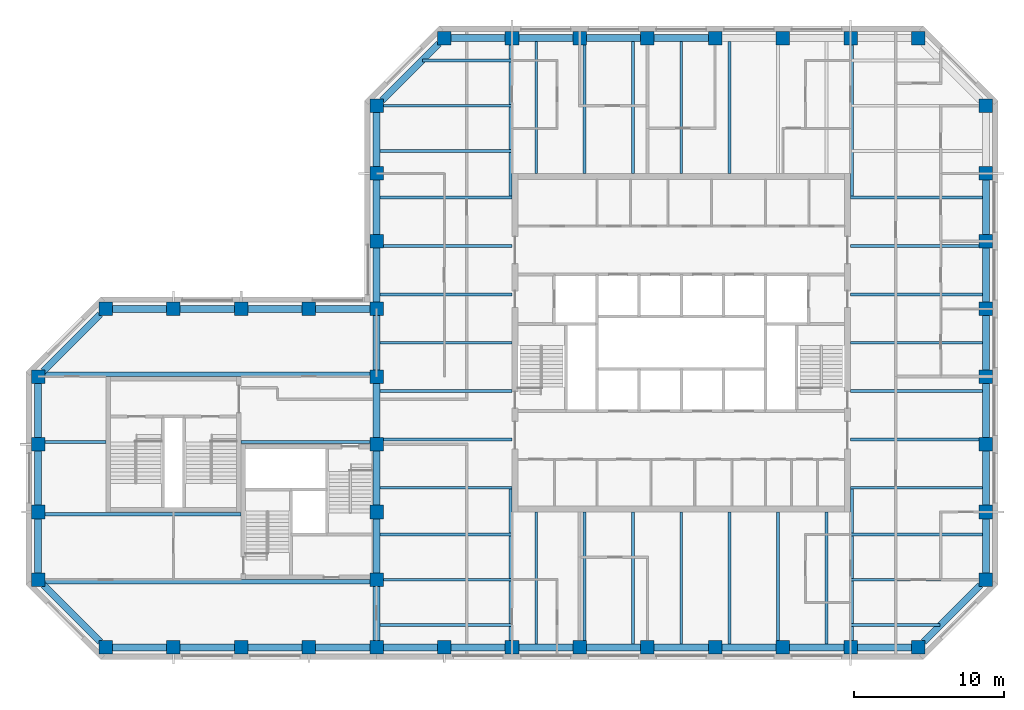
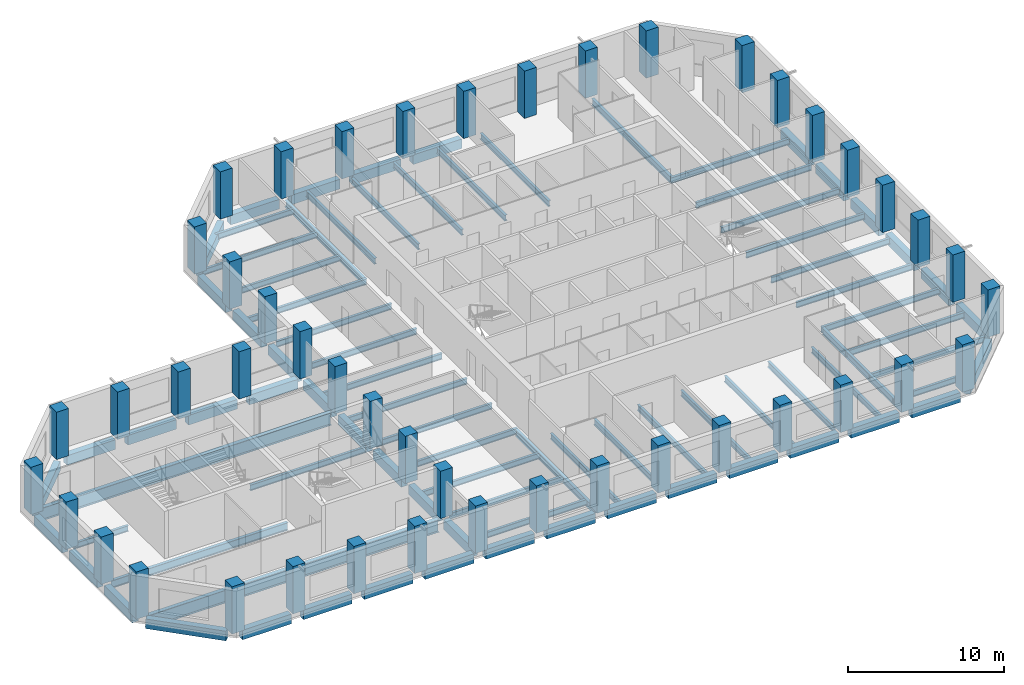
# One storey, part 1 of 9: 85 beams, 45 columns.
"""IFC4 building model written with IfcOpenShell, lengths in metres."""

from ifc_helpers import new_model, si_unit, direction, frame, origin, origin_2d, place, context, subcontext, project, spatial, rectangle, i_section, extrude, material, material_profile, profile_set, type_object, element, save


model = new_model("IFC4")

# Units and contexts
model_context = context("Model", 3, precision=1e-05, world=origin(), true_north=direction((0.0, 1.0)))
body_context = subcontext(model_context, "Body", "Model", "MODEL_VIEW")
ifc_project = project(units=[si_unit("LENGTHUNIT", "METRE"), si_unit("AREAUNIT", "SQUARE_METRE"), si_unit("VOLUMEUNIT", "CUBIC_METRE"), si_unit("PLANEANGLEUNIT", "RADIAN"), si_unit("MASSUNIT", "GRAM", prefix="KILO")], contexts=[model_context])

# Site, building, storey
site_placement = place(None, origin())
site = spatial("IfcSite", under=ifc_project, at=site_placement, CompositionType="ELEMENT")
building_placement = place(site_placement, origin())
building = spatial("IfcBuilding", under=site, at=building_placement, Name="Quoin Convention Tower", CompositionType="ELEMENT")
storey_placement = place(building_placement, frame((0.0, 0.0, 230.39990234375)))
storey = spatial("IfcBuildingStorey", under=building, at=storey_placement, Name="L60", CompositionType="ELEMENT", Elevation=230.39990234375)

# Columns
ifc_material_1 = material(Name="Concrete C50", Category="concrete")
ifc_material_profile_1 = material_profile(ifc_material_1, rectangle(XDim=0.89990234375, YDim=0.89990234375, at=origin_2d()), Name="RC 900x900")
ifc_profile_set_1 = profile_set([ifc_material_profile_1], Name="Concrete C50")
column_type = type_object("IfcColumnType", Name="RC 900x900 C50", PredefinedType="COLUMN", material=ifc_profile_set_1)
for number, where, z_axis, x_axis, name in (
    (1, (18.0, 40.5, 0.0), (0.0, 0.0, 1.0), (1.0, 0.0, 0.0), "col-L60-18000_40500"),
    (2, (22.5, 40.5, 0.0), (0.0, 0.0, 1.0), (1.0, 0.0, 0.0), "col-L60-22500_40500"),
    (3, (27.0, 40.5, 0.0), (0.0, 0.0, 1.0), (1.0, 0.0, 0.0), "col-L60-27000_40500"),
    (4, (31.5, 40.5, 0.0), (0.0, 0.0, 1.0), (1.0, 0.0, 0.0), "col-L60-31500_40500"),
    (5, (36.0, 40.5, 0.0), (0.0, 0.0, 1.0), (1.0, 0.0, 0.0), "col-L60-36000_40500"),
    (6, (40.5, 40.5, 0.0), (0.0, 0.0, 1.0), (1.0, 0.0, 0.0), "col-L60-40500_40500"),
    (7, (45.0, 40.5, 0.0), (0.0, 0.0, 1.0), (1.0, 0.0, 0.0), "col-L60-45000_40500"),
    (8, (49.5, 40.5, 0.0), (0.0, 0.0, 1.0), (1.0, 0.0, 0.0), "col-L60-49500_40500"),
    (9, (54.0, 40.5, 0.0), (0.0, 0.0, 1.0), (1.0, 0.0, 0.0), "col-L60-54000_40500"),
    (10, (58.5, 40.5, 0.0), (0.0, 0.0, 1.0), (1.0, 0.0, 0.0), "col-L60-58500_40500"),
    (11, (63.0, 40.5, 0.0), (0.0, 0.0, 1.0), (1.0, 0.0, 0.0), "col-L60-63000_40500"),
    (12, (67.5, 40.5, 0.0), (0.0, 0.0, 1.0), (1.0, 0.0, 0.0), "col-L60-67500_40500"),
    (13, (72.0, 40.5, 0.0), (0.0, 0.0, 1.0), (1.0, 0.0, 0.0), "col-L60-72000_40500"),
    (14, (13.5, 45.0, 0.0), (0.0, 0.0, 1.0), (1.0, 0.0, 0.0), "col-L60-13500_45000"),
    (15, (36.0, 45.0, 0.0), (0.0, 0.0, 1.0), (1.0, 0.0, 0.0), "web-L60-36000_45000"),
    (16, (76.5, 45.0, 0.0), (0.0, 0.0, 1.0), (1.0, 0.0, 0.0), "col-L60-76500_45000"),
    (17, (13.5, 49.5, 0.0), (0.0, 0.0, 1.0), (1.0, 0.0, 0.0), "col-L60-13500_49500"),
    (18, (36.0, 49.5, 0.0), (0.0, 0.0, 1.0), (1.0, 0.0, 0.0), "web-L60-36000_49500"),
    (19, (76.5, 49.5, 0.0), (0.0, 0.0, 1.0), (1.0, 0.0, 0.0), "col-L60-76500_49500"),
    (20, (13.5, 54.0, 0.0), (0.0, 0.0, 1.0), (1.0, 0.0, 0.0), "col-L60-13500_54000"),
    (21, (36.0, 54.0, 0.0), (0.0, 0.0, 1.0), (1.0, 0.0, 0.0), "web-L60-36000_54000"),
    (22, (76.5, 54.0, 0.0), (0.0, 0.0, 1.0), (1.0, 0.0, 0.0), "col-L60-76500_54000"),
    (23, (13.5, 58.5, 0.0), (0.0, 0.0, 1.0), (1.0, 0.0, 0.0), "col-L60-13500_58500"),
    (24, (36.0, 58.5, 0.0), (0.0, 0.0, 1.0), (1.0, 0.0, 0.0), "web-L60-36000_58500"),
    (25, (76.5, 58.5, 0.0), (0.0, 0.0, 1.0), (1.0, 0.0, 0.0), "col-L60-76500_58500"),
    (26, (18.0, 63.0, 0.0), (0.0, 0.0, 1.0), (1.0, 0.0, 0.0), "col-L60-18000_63000"),
    (27, (22.5, 63.0, 0.0), (0.0, 0.0, 1.0), (1.0, 0.0, 0.0), "col-L60-22500_63000"),
    (28, (27.0, 63.0, 0.0), (0.0, 0.0, 1.0), (1.0, 0.0, 0.0), "col-L60-27000_63000"),
    (29, (31.5, 63.0, 0.0), (0.0, 0.0, 1.0), (1.0, 0.0, 0.0), "col-L60-31500_63000"),
    (30, (36.0, 63.0, 0.0), (0.0, 0.0, 1.0), (1.0, 0.0, 0.0), "col-L60-36000_63000"),
    (31, (76.5, 63.0, 0.0), (0.0, 0.0, 1.0), (1.0, 0.0, 0.0), "col-L60-76500_63000"),
    (32, (36.0, 67.5, 0.0), (0.0, 0.0, 1.0), (1.0, 0.0, 0.0), "col-L60-36000_67500"),
    (33, (76.5, 67.5, 0.0), (0.0, 0.0, 1.0), (1.0, 0.0, 0.0), "col-L60-76500_67500"),
    (34, (36.0, 72.0, 0.0), (0.0, 0.0, 1.0), (1.0, 0.0, 0.0), "col-L60-36000_72000"),
    (35, (76.5, 72.0, 0.0), (0.0, 0.0, 1.0), (1.0, 0.0, 0.0), "col-L60-76500_72000"),
    (36, (36.0, 76.5, 0.0), (0.0, 0.0, 1.0), (1.0, 0.0, 0.0), "col-L60-36000_76500"),
    (37, (76.5, 76.5, 0.0), (0.0, 0.0, 1.0), (1.0, 0.0, 0.0), "col-L60-76500_76500"),
    (38, (40.5, 81.0, 0.0), (0.0, 0.0, 1.0), (1.0, 0.0, 0.0), "col-L60-40500_81000"),
    (39, (45.0, 81.0, 0.0), (0.0, 0.0, 1.0), (1.0, 0.0, 0.0), "col-L60-45000_81000"),
    (40, (49.5, 81.0, 0.0), (0.0, 0.0, 1.0), (1.0, 0.0, 0.0), "col-L60-49500_81000"),
    (41, (54.0, 81.0, 0.0), (0.0, 0.0, 1.0), (1.0, 0.0, 0.0), "col-L60-54000_81000"),
    (42, (58.5, 81.0, 0.0), (0.0, 0.0, 1.0), (1.0, 0.0, 0.0), "col-L60-58500_81000"),
    (43, (63.0, 81.0, 0.0), (0.0, 0.0, 1.0), (1.0, 0.0, 0.0), "col-L60-63000_81000"),
    (44, (67.5, 81.0, 0.0), (0.0, 0.0, 1.0), (1.0, 0.0, 0.0), "col-L60-67500_81000"),
    (45, (72.0, 81.0, 0.0), (0.0, 0.0, 1.0), (1.0, 0.0, 0.0), "col-L60-72000_81000"),
):
    element("IfcColumn", number, at=place(storey_placement, frame(where, z_axis=z_axis, x_axis=x_axis)), inside=storey, type_object=column_type, Name=name, PredefinedType="COLUMN", context=body_context, shape_type="SweptSolid", body=[
        extrude(rectangle(XDim=0.89990234375, YDim=0.89990234375, at=origin_2d()), origin(), (0.0, 0.0, 1.0), 3.7001953125),
    ])

# Beams
ifc_material_2 = material(Name="Steel Grade 300", Category="steel")
ifc_material_profile_2 = material_profile(ifc_material_2, i_section(OverallWidth=0.300048828125, OverallDepth=1.0, WebThickness=0.01611328125, FlangeThickness=0.02001953125, at=origin_2d()), Name="1000WB215")
ifc_profile_set_2 = profile_set([ifc_material_profile_2], Name="Steel Grade 300")
beam_type_1 = type_object("IfcBeamType", Name="1000WB215", PredefinedType="BEAM", material=ifc_profile_set_2)
for number, where, z_axis, x_axis, name in (
    (46, (13.949951171875, 44.85009765625, -0.64990234375), (1.0, 0.0, 0.0), (0.0, 1.0, 0.0), "gir-L60-ST2-1-0"),
    (47, (13.949951171875, 58.64990234375, -0.64990234375), (1.0, 0.0, 0.0), (0.0, 1.0, 0.0), "gir-L60-ST2-4-0"),
):
    element("IfcBeam", number, at=place(storey_placement, frame(where, z_axis=z_axis, x_axis=x_axis)), inside=storey, type_object=beam_type_1, Name=name, PredefinedType="BEAM", context=body_context, shape_type="SweptSolid", body=[
        extrude(i_section(OverallWidth=0.300048828125, OverallDepth=1.0, WebThickness=0.01611328125, FlangeThickness=0.02001953125, at=origin_2d()), origin(), (0.0, 0.0, 1.0), 21.60009765625),
    ])
ifc_material_profile_3 = material_profile(ifc_material_2, i_section(OverallWidth=0.18994140625, OverallDepth=0.4541015625, WebThickness=0.008544921875, FlangeThickness=0.0126953125, FilletRadius=0.011474609375, at=origin_2d()), Name="460UB67.1")
ifc_profile_set_3 = profile_set([ifc_material_profile_3], Name="Steel Grade 300")
beam_type_2 = type_object("IfcBeamType", Name="460UB67.1", PredefinedType="BEAM", material=ifc_profile_set_3)
beam_1_placement = place(storey_placement, frame((36.22509765625, 51.107177734375, -0.376953125), z_axis=(1.0, 0.0, 0.0), x_axis=(0.0, 1.0, 0.0)))
element("IfcBeam", 48, at=beam_1_placement, inside=storey, type_object=beam_type_2, Name="bm-L60-T1W0", PredefinedType="BEAM", context=body_context, shape_type="SweptSolid", body=[
    extrude(i_section(OverallWidth=0.18994140625, OverallDepth=0.4541015625, WebThickness=0.008544921875, FlangeThickness=0.0126953125, FilletRadius=0.011474609375, at=origin_2d()), origin(), (0.0, 0.0, 1.0), 8.77490234375),
])
beam_2_placement = place(storey_placement, frame((36.449951171875, 54.3212890625, -0.376953125), z_axis=(1.0, 0.0, 0.0), x_axis=(0.0, 1.0, 0.0)))
element("IfcBeam", 49, at=beam_2_placement, inside=storey, type_object=beam_type_2, Name="bm-L60-T1W1", PredefinedType="BEAM", context=body_context, shape_type="SweptSolid", body=[
    extrude(i_section(OverallWidth=0.18994140625, OverallDepth=0.4541015625, WebThickness=0.008544921875, FlangeThickness=0.0126953125, FilletRadius=0.011474609375, at=origin_2d()), origin(), (0.0, 0.0, 1.0), 8.550048828125),
])
for number, where, z_axis, x_axis, name in (
    (50, (36.22509765625, 57.53564453125, -0.376953125), (1.0, 0.0, 0.0), (0.0, 1.0, 0.0), "bm-L60-T1W2"),
    (51, (36.22509765625, 60.75, -0.376953125), (1.0, 0.0, 0.0), (0.0, 1.0, 0.0), "bm-L60-T1W3"),
    (52, (36.22509765625, 63.96435546875, -0.376953125), (1.0, 0.0, 0.0), (0.0, 1.0, 0.0), "bm-L60-T1W4"),
):
    element("IfcBeam", number, at=place(storey_placement, frame(where, z_axis=z_axis, x_axis=x_axis)), inside=storey, type_object=beam_type_2, Name=name, PredefinedType="BEAM", context=body_context, shape_type="SweptSolid", body=[
        extrude(i_section(OverallWidth=0.18994140625, OverallDepth=0.4541015625, WebThickness=0.008544921875, FlangeThickness=0.0126953125, FilletRadius=0.011474609375, at=origin_2d()), origin(), (0.0, 0.0, 1.0), 8.77490234375),
    ])
beam_3_placement = place(storey_placement, frame((36.449951171875, 67.1787109375, -0.376953125), z_axis=(1.0, 0.0, 0.0), x_axis=(0.0, 1.0, 0.0)))
element("IfcBeam", 53, at=beam_3_placement, inside=storey, type_object=beam_type_2, Name="bm-L60-T1W5", PredefinedType="BEAM", context=body_context, shape_type="SweptSolid", body=[
    extrude(i_section(OverallWidth=0.18994140625, OverallDepth=0.4541015625, WebThickness=0.008544921875, FlangeThickness=0.0126953125, FilletRadius=0.011474609375, at=origin_2d()), origin(), (0.0, 0.0, 1.0), 8.550048828125),
])
for number, where, z_axis, x_axis, name in (
    (54, (36.22509765625, 70.392822265625, -0.376953125), (1.0, 0.0, 0.0), (0.0, 1.0, 0.0), "bm-L60-T1W6"),
    (55, (67.5, 51.107177734375, -0.376953125), (1.0, 0.0, 0.0), (0.0, 1.0, 0.0), "bm-L60-T1E0"),
):
    element("IfcBeam", number, at=place(storey_placement, frame(where, z_axis=z_axis, x_axis=x_axis)), inside=storey, type_object=beam_type_2, Name=name, PredefinedType="BEAM", context=body_context, shape_type="SweptSolid", body=[
        extrude(i_section(OverallWidth=0.18994140625, OverallDepth=0.4541015625, WebThickness=0.008544921875, FlangeThickness=0.0126953125, FilletRadius=0.011474609375, at=origin_2d()), origin(), (0.0, 0.0, 1.0), 8.77490234375),
    ])
beam_4_placement = place(storey_placement, frame((67.5, 54.3212890625, -0.376953125), z_axis=(1.0, 0.0, 0.0), x_axis=(0.0, 1.0, 0.0)))
element("IfcBeam", 56, at=beam_4_placement, inside=storey, type_object=beam_type_2, Name="bm-L60-T1E1", PredefinedType="BEAM", context=body_context, shape_type="SweptSolid", body=[
    extrude(i_section(OverallWidth=0.18994140625, OverallDepth=0.4541015625, WebThickness=0.008544921875, FlangeThickness=0.0126953125, FilletRadius=0.011474609375, at=origin_2d()), origin(), (0.0, 0.0, 1.0), 8.550048828125),
])
for number, where, z_axis, x_axis, name in (
    (57, (67.5, 57.53564453125, -0.376953125), (1.0, 0.0, 0.0), (0.0, 1.0, 0.0), "bm-L60-T1E2"),
    (58, (67.5, 60.75, -0.376953125), (1.0, 0.0, 0.0), (0.0, 1.0, 0.0), "bm-L60-T1E3"),
    (59, (67.5, 63.96435546875, -0.376953125), (1.0, 0.0, 0.0), (0.0, 1.0, 0.0), "bm-L60-T1E4"),
):
    element("IfcBeam", number, at=place(storey_placement, frame(where, z_axis=z_axis, x_axis=x_axis)), inside=storey, type_object=beam_type_2, Name=name, PredefinedType="BEAM", context=body_context, shape_type="SweptSolid", body=[
        extrude(i_section(OverallWidth=0.18994140625, OverallDepth=0.4541015625, WebThickness=0.008544921875, FlangeThickness=0.0126953125, FilletRadius=0.011474609375, at=origin_2d()), origin(), (0.0, 0.0, 1.0), 8.77490234375),
    ])
beam_5_placement = place(storey_placement, frame((67.5, 67.1787109375, -0.376953125), z_axis=(1.0, 0.0, 0.0), x_axis=(0.0, 1.0, 0.0)))
element("IfcBeam", 60, at=beam_5_placement, inside=storey, type_object=beam_type_2, Name="bm-L60-T1E5", PredefinedType="BEAM", context=body_context, shape_type="SweptSolid", body=[
    extrude(i_section(OverallWidth=0.18994140625, OverallDepth=0.4541015625, WebThickness=0.008544921875, FlangeThickness=0.0126953125, FilletRadius=0.011474609375, at=origin_2d()), origin(), (0.0, 0.0, 1.0), 8.550048828125),
])
for number, where, z_axis, x_axis, name in (
    (61, (67.5, 70.392822265625, -0.376953125), (1.0, 0.0, 0.0), (0.0, 1.0, 0.0), "bm-L60-T1E6"),
    (62, (46.607177734375, 40.72509765625, -0.376953125), (0.0, 1.0, 0.0), (-1.0, 0.0, 0.0), "bm-L60-T1S0"),
):
    element("IfcBeam", number, at=place(storey_placement, frame(where, z_axis=z_axis, x_axis=x_axis)), inside=storey, type_object=beam_type_2, Name=name, PredefinedType="BEAM", context=body_context, shape_type="SweptSolid", body=[
        extrude(i_section(OverallWidth=0.18994140625, OverallDepth=0.4541015625, WebThickness=0.008544921875, FlangeThickness=0.0126953125, FilletRadius=0.011474609375, at=origin_2d()), origin(), (0.0, 0.0, 1.0), 8.77490234375),
    ])
beam_6_placement = place(storey_placement, frame((49.8212890625, 40.949951171875, -0.376953125), z_axis=(0.0, 1.0, 0.0), x_axis=(-1.0, 0.0, 0.0)))
element("IfcBeam", 63, at=beam_6_placement, inside=storey, type_object=beam_type_2, Name="bm-L60-T1S1", PredefinedType="BEAM", context=body_context, shape_type="SweptSolid", body=[
    extrude(i_section(OverallWidth=0.18994140625, OverallDepth=0.4541015625, WebThickness=0.008544921875, FlangeThickness=0.0126953125, FilletRadius=0.011474609375, at=origin_2d()), origin(), (0.0, 0.0, 1.0), 8.550048828125),
])
for number, where, z_axis, x_axis, name in (
    (64, (53.03564453125, 40.72509765625, -0.376953125), (0.0, 1.0, 0.0), (-1.0, 0.0, 0.0), "bm-L60-T1S2"),
    (65, (56.25, 40.72509765625, -0.376953125), (0.0, 1.0, 0.0), (-1.0, 0.0, 0.0), "bm-L60-T1S3"),
    (66, (59.46435546875, 40.72509765625, -0.376953125), (0.0, 1.0, 0.0), (-1.0, 0.0, 0.0), "bm-L60-T1S4"),
):
    element("IfcBeam", number, at=place(storey_placement, frame(where, z_axis=z_axis, x_axis=x_axis)), inside=storey, type_object=beam_type_2, Name=name, PredefinedType="BEAM", context=body_context, shape_type="SweptSolid", body=[
        extrude(i_section(OverallWidth=0.18994140625, OverallDepth=0.4541015625, WebThickness=0.008544921875, FlangeThickness=0.0126953125, FilletRadius=0.011474609375, at=origin_2d()), origin(), (0.0, 0.0, 1.0), 8.77490234375),
    ])
beam_7_placement = place(storey_placement, frame((62.6787109375, 40.949951171875, -0.376953125), z_axis=(0.0, 1.0, 0.0), x_axis=(-1.0, 0.0, 0.0)))
element("IfcBeam", 67, at=beam_7_placement, inside=storey, type_object=beam_type_2, Name="bm-L60-T1S5", PredefinedType="BEAM", context=body_context, shape_type="SweptSolid", body=[
    extrude(i_section(OverallWidth=0.18994140625, OverallDepth=0.4541015625, WebThickness=0.008544921875, FlangeThickness=0.0126953125, FilletRadius=0.011474609375, at=origin_2d()), origin(), (0.0, 0.0, 1.0), 8.550048828125),
])
for number, where, z_axis, x_axis, name in (
    (68, (65.892822265625, 40.72509765625, -0.376953125), (0.0, 1.0, 0.0), (-1.0, 0.0, 0.0), "bm-L60-T1S6"),
    (69, (46.607177734375, 72.0, -0.376953125), (0.0, 1.0, 0.0), (-1.0, 0.0, 0.0), "bm-L60-T1N0"),
):
    element("IfcBeam", number, at=place(storey_placement, frame(where, z_axis=z_axis, x_axis=x_axis)), inside=storey, type_object=beam_type_2, Name=name, PredefinedType="BEAM", context=body_context, shape_type="SweptSolid", body=[
        extrude(i_section(OverallWidth=0.18994140625, OverallDepth=0.4541015625, WebThickness=0.008544921875, FlangeThickness=0.0126953125, FilletRadius=0.011474609375, at=origin_2d()), origin(), (0.0, 0.0, 1.0), 8.77490234375),
    ])
beam_8_placement = place(storey_placement, frame((49.8212890625, 72.0, -0.376953125), z_axis=(0.0, 1.0, 0.0), x_axis=(-1.0, 0.0, 0.0)))
element("IfcBeam", 70, at=beam_8_placement, inside=storey, type_object=beam_type_2, Name="bm-L60-T1N1", PredefinedType="BEAM", context=body_context, shape_type="SweptSolid", body=[
    extrude(i_section(OverallWidth=0.18994140625, OverallDepth=0.4541015625, WebThickness=0.008544921875, FlangeThickness=0.0126953125, FilletRadius=0.011474609375, at=origin_2d()), origin(), (0.0, 0.0, 1.0), 8.550048828125),
])
for number, where, z_axis, x_axis, name in (
    (71, (53.03564453125, 72.0, -0.376953125), (0.0, 1.0, 0.0), (-1.0, 0.0, 0.0), "bm-L60-T1N2"),
    (72, (56.25, 72.0, -0.376953125), (0.0, 1.0, 0.0), (-1.0, 0.0, 0.0), "bm-L60-T1N3"),
    (73, (59.46435546875, 72.0, -0.376953125), (0.0, 1.0, 0.0), (-1.0, 0.0, 0.0), "bm-L60-T1N4"),
    (74, (36.22509765625, 42.0, -0.376953125), (1.0, 0.0, 0.0), (0.0, 1.0, 0.0), "bm-L60-T1SW0"),
):
    element("IfcBeam", number, at=place(storey_placement, frame(where, z_axis=z_axis, x_axis=x_axis)), inside=storey, type_object=beam_type_2, Name=name, PredefinedType="BEAM", context=body_context, shape_type="SweptSolid", body=[
        extrude(i_section(OverallWidth=0.18994140625, OverallDepth=0.4541015625, WebThickness=0.008544921875, FlangeThickness=0.0126953125, FilletRadius=0.011474609375, at=origin_2d()), origin(), (0.0, 0.0, 1.0), 8.77490234375),
    ])
beam_9_placement = place(storey_placement, frame((36.449951171875, 45.0, -0.376953125), z_axis=(1.0, 0.0, 0.0), x_axis=(0.0, 1.0, 0.0)))
element("IfcBeam", 75, at=beam_9_placement, inside=storey, type_object=beam_type_2, Name="bm-L60-T1SW1", PredefinedType="BEAM", context=body_context, shape_type="SweptSolid", body=[
    extrude(i_section(OverallWidth=0.18994140625, OverallDepth=0.4541015625, WebThickness=0.008544921875, FlangeThickness=0.0126953125, FilletRadius=0.011474609375, at=origin_2d()), origin(), (0.0, 0.0, 1.0), 8.550048828125),
])
beam_10_placement = place(storey_placement, frame((36.22509765625, 48.0, -0.376953125), z_axis=(1.0, 0.0, 0.0), x_axis=(0.0, 1.0, 0.0)))
element("IfcBeam", 76, at=beam_10_placement, inside=storey, type_object=beam_type_2, Name="bm-L60-T1SW2", PredefinedType="BEAM", context=body_context, shape_type="SweptSolid", body=[
    extrude(i_section(OverallWidth=0.18994140625, OverallDepth=0.4541015625, WebThickness=0.008544921875, FlangeThickness=0.0126953125, FilletRadius=0.011474609375, at=origin_2d()), origin(), (0.0, 0.0, 1.0), 8.77490234375),
])
beam_11_placement = place(storey_placement, frame((67.5, 42.0, -0.376953125), z_axis=(1.0, 0.0, 0.0), x_axis=(0.0, 1.0, 0.0)))
element("IfcBeam", 77, at=beam_11_placement, inside=storey, type_object=beam_type_2, Name="bm-L60-T1SE0", PredefinedType="BEAM", context=body_context, shape_type="SweptSolid", body=[
    extrude(i_section(OverallWidth=0.18994140625, OverallDepth=0.4541015625, WebThickness=0.008544921875, FlangeThickness=0.0126953125, FilletRadius=0.011474609375, at=origin_2d()), origin(), (0.0, 0.0, 1.0), 5.935791015625),
])
beam_12_placement = place(storey_placement, frame((67.5, 45.0, -0.376953125), z_axis=(1.0, 0.0, 0.0), x_axis=(0.0, 1.0, 0.0)))
element("IfcBeam", 78, at=beam_12_placement, inside=storey, type_object=beam_type_2, Name="bm-L60-T1SE1", PredefinedType="BEAM", context=body_context, shape_type="SweptSolid", body=[
    extrude(i_section(OverallWidth=0.18994140625, OverallDepth=0.4541015625, WebThickness=0.008544921875, FlangeThickness=0.0126953125, FilletRadius=0.011474609375, at=origin_2d()), origin(), (0.0, 0.0, 1.0), 8.550048828125),
])
beam_13_placement = place(storey_placement, frame((67.5, 48.0, -0.376953125), z_axis=(1.0, 0.0, 0.0), x_axis=(0.0, 1.0, 0.0)))
element("IfcBeam", 79, at=beam_13_placement, inside=storey, type_object=beam_type_2, Name="bm-L60-T1SE2", PredefinedType="BEAM", context=body_context, shape_type="SweptSolid", body=[
    extrude(i_section(OverallWidth=0.18994140625, OverallDepth=0.4541015625, WebThickness=0.008544921875, FlangeThickness=0.0126953125, FilletRadius=0.011474609375, at=origin_2d()), origin(), (0.0, 0.0, 1.0), 8.77490234375),
])
beam_14_placement = place(storey_placement, frame((39.064208984375, 79.5, -0.376953125), z_axis=(1.0, 0.0, 0.0), x_axis=(0.0, 1.0, 0.0)))
element("IfcBeam", 80, at=beam_14_placement, inside=storey, type_object=beam_type_2, Name="bm-L60-T1NW0", PredefinedType="BEAM", context=body_context, shape_type="SweptSolid", body=[
    extrude(i_section(OverallWidth=0.18994140625, OverallDepth=0.4541015625, WebThickness=0.008544921875, FlangeThickness=0.0126953125, FilletRadius=0.011474609375, at=origin_2d()), origin(), (0.0, 0.0, 1.0), 5.935791015625),
])
beam_15_placement = place(storey_placement, frame((36.449951171875, 76.5, -0.376953125), z_axis=(1.0, 0.0, 0.0), x_axis=(0.0, 1.0, 0.0)))
element("IfcBeam", 81, at=beam_15_placement, inside=storey, type_object=beam_type_2, Name="bm-L60-T1NW1", PredefinedType="BEAM", context=body_context, shape_type="SweptSolid", body=[
    extrude(i_section(OverallWidth=0.18994140625, OverallDepth=0.4541015625, WebThickness=0.008544921875, FlangeThickness=0.0126953125, FilletRadius=0.011474609375, at=origin_2d()), origin(), (0.0, 0.0, 1.0), 8.550048828125),
])
beam_16_placement = place(storey_placement, frame((36.22509765625, 73.5, -0.376953125), z_axis=(1.0, 0.0, 0.0), x_axis=(0.0, 1.0, 0.0)))
element("IfcBeam", 82, at=beam_16_placement, inside=storey, type_object=beam_type_2, Name="bm-L60-T1NW2", PredefinedType="BEAM", context=body_context, shape_type="SweptSolid", body=[
    extrude(i_section(OverallWidth=0.18994140625, OverallDepth=0.4541015625, WebThickness=0.008544921875, FlangeThickness=0.0126953125, FilletRadius=0.011474609375, at=origin_2d()), origin(), (0.0, 0.0, 1.0), 8.77490234375),
])
beam_17_placement = place(storey_placement, frame((13.949951171875, 54.14990234375, -0.376953125), z_axis=(1.0, 0.0, 0.0), x_axis=(0.0, 1.0, 0.0)))
element("IfcBeam", 83, at=beam_17_placement, inside=storey, type_object=beam_type_2, Name="gir-L60-ST2-3-0", PredefinedType="BEAM", context=body_context, shape_type="SweptSolid", body=[
    extrude(i_section(OverallWidth=0.18994140625, OverallDepth=0.4541015625, WebThickness=0.008544921875, FlangeThickness=0.0126953125, FilletRadius=0.011474609375, at=origin_2d()), origin(), (0.0, 0.0, 1.0), 4.050048828125),
])
beam_18_placement = place(storey_placement, frame((27.0, 54.14990234375, -0.376953125), z_axis=(1.0, 0.0, 0.0), x_axis=(0.0, 1.0, 0.0)))
element("IfcBeam", 84, at=beam_18_placement, inside=storey, type_object=beam_type_2, Name="gir-L60-ST2-3-1", PredefinedType="BEAM", context=body_context, shape_type="SweptSolid", body=[
    extrude(i_section(OverallWidth=0.18994140625, OverallDepth=0.4541015625, WebThickness=0.008544921875, FlangeThickness=0.0126953125, FilletRadius=0.011474609375, at=origin_2d()), origin(), (0.0, 0.0, 1.0), 8.550048828125),
])
ifc_material_profile_4 = material_profile(ifc_material_2, i_section(OverallWidth=0.208984375, OverallDepth=0.528076171875, WebThickness=0.009521484375, FlangeThickness=0.01318359375, FilletRadius=0.013916015625, at=origin_2d()), Name="530UB82.0")
ifc_profile_set_4 = profile_set([ifc_material_profile_4], Name="Steel Grade 300")
beam_type_3 = type_object("IfcBeamType", Name="530UB82.0", PredefinedType="BEAM", material=ifc_profile_set_4)
for number, where, z_axis, x_axis, name in (
    (85, (44.904541015625, 40.949951171875, -0.413818359375), (0.0, 1.0, 0.0), (-1.0, 0.0, 0.0), "gir-L60-T1SW"),
    (86, (67.595458984375, 40.949951171875, -0.413818359375), (0.0, 1.0, 0.0), (-1.0, 0.0, 0.0), "gir-L60-T1SE"),
    (87, (44.904541015625, 80.550048828125, -0.413818359375), (0.0, -1.0, 0.0), (1.0, 0.0, 0.0), "gir-L60-T1NW"),
    (88, (67.595458984375, 80.550048828125, -0.413818359375), (0.0, -1.0, 0.0), (1.0, 0.0, 0.0), "gir-L60-T1NE"),
):
    element("IfcBeam", number, at=place(storey_placement, frame(where, z_axis=z_axis, x_axis=x_axis)), inside=storey, type_object=beam_type_3, Name=name, PredefinedType="BEAM", context=body_context, shape_type="SweptSolid", body=[
        extrude(i_section(OverallWidth=0.208984375, OverallDepth=0.528076171875, WebThickness=0.009521484375, FlangeThickness=0.01318359375, FilletRadius=0.013916015625, at=origin_2d()), origin(), (0.0, 0.0, 1.0), 10.062255859375),
    ])
ifc_material_profile_5 = material_profile(ifc_material_2, i_section(OverallWidth=0.22802734375, OverallDepth=0.60205078125, WebThickness=0.010498046875, FlangeThickness=0.014892578125, FilletRadius=0.013916015625, at=origin_2d()), Name="610UB101")
ifc_profile_set_5 = profile_set([ifc_material_profile_5], Name="Steel Grade 300")
beam_type_4 = type_object("IfcBeamType", Name="610UB101", PredefinedType="BEAM", material=ifc_profile_set_5)
beam_19_placement = place(storey_placement, frame((13.949951171875, 49.35009765625, -0.450927734375), z_axis=(1.0, 0.0, 0.0), x_axis=(0.0, 1.0, 0.0)))
element("IfcBeam", 89, at=beam_19_placement, inside=storey, type_object=beam_type_4, Name="gir-L60-ST2-2-0", PredefinedType="BEAM", context=body_context, shape_type="SweptSolid", body=[
    extrude(i_section(OverallWidth=0.22802734375, OverallDepth=0.60205078125, WebThickness=0.010498046875, FlangeThickness=0.014892578125, FilletRadius=0.013916015625, at=origin_2d()), origin(), (0.0, 0.0, 1.0), 13.050048828125),
])
ifc_material_profile_6 = material_profile(ifc_material_1, rectangle(XDim=0.449951171875, YDim=0.75, at=origin_2d()), Name="RC 450x750")
ifc_profile_set_6 = profile_set([ifc_material_profile_6], Name="Concrete C50")
beam_type_5 = type_object("IfcBeamType", Name="RC 450x750 C50", PredefinedType="SPANDREL", material=ifc_profile_set_6)
for number, where, z_axis, x_axis, name in (
    (90, (36.449951171875, 40.5, -0.52490234375), (1.0, 0.0, 0.0), (0.0, 1.0, 0.0), "spd-L60-36000_40500-40500_40500"),
    (91, (40.949951171875, 40.5, -0.52490234375), (1.0, 0.0, 0.0), (0.0, 1.0, 0.0), "spd-L60-40500_40500-45000_40500"),
    (92, (45.449951171875, 40.5, -0.52490234375), (1.0, 0.0, 0.0), (0.0, 1.0, 0.0), "spd-L60-45000_40500-49500_40500"),
    (93, (49.949951171875, 40.5, -0.52490234375), (1.0, 0.0, 0.0), (0.0, 1.0, 0.0), "spd-L60-49500_40500-54000_40500"),
    (94, (54.449951171875, 40.5, -0.52490234375), (1.0, 0.0, 0.0), (0.0, 1.0, 0.0), "spd-L60-54000_40500-58500_40500"),
    (95, (58.949951171875, 40.5, -0.52490234375), (1.0, 0.0, 0.0), (0.0, 1.0, 0.0), "spd-L60-58500_40500-63000_40500"),
    (96, (63.449951171875, 40.5, -0.52490234375), (1.0, 0.0, 0.0), (0.0, 1.0, 0.0), "spd-L60-63000_40500-67500_40500"),
    (97, (67.949951171875, 40.5, -0.52490234375), (1.0, 0.0, 0.0), (0.0, 1.0, 0.0), "spd-L60-67500_40500-72000_40500"),
):
    element("IfcBeam", number, at=place(storey_placement, frame(where, z_axis=z_axis, x_axis=x_axis)), inside=storey, type_object=beam_type_5, Name=name, PredefinedType="SPANDREL", context=body_context, shape_type="SweptSolid", body=[
        extrude(rectangle(XDim=0.449951171875, YDim=0.75, at=origin_2d()), origin(), (0.0, 0.0, 1.0), 3.60009765625),
    ])
beam_20_placement = place(storey_placement, frame((72.364990234375, 40.864990234375, -0.52490234375), z_axis=(0.707106781187, 0.707106781187, 0.0), x_axis=(-0.707106781187, 0.707106781187, 0.0)))
element("IfcBeam", 98, at=beam_20_placement, inside=storey, type_object=beam_type_5, Name="spd-L60-72000_40500-76500_45000", PredefinedType="SPANDREL", context=body_context, shape_type="SweptSolid", body=[
    extrude(rectangle(XDim=0.449951171875, YDim=0.75, at=origin_2d()), origin(), (0.0, 0.0, 1.0), 5.33154296875),
])
for number, where, z_axis, x_axis, name in (
    (99, (76.5, 45.449951171875, -0.52490234375), (0.0, 1.0, 0.0), (-1.0, 0.0, 0.0), "spd-L60-76500_45000-76500_49500"),
    (100, (76.5, 49.949951171875, -0.52490234375), (0.0, 1.0, 0.0), (-1.0, 0.0, 0.0), "spd-L60-76500_49500-76500_54000"),
    (101, (76.5, 54.449951171875, -0.52490234375), (0.0, 1.0, 0.0), (-1.0, 0.0, 0.0), "spd-L60-76500_54000-76500_58500"),
    (102, (76.5, 58.949951171875, -0.52490234375), (0.0, 1.0, 0.0), (-1.0, 0.0, 0.0), "spd-L60-76500_58500-76500_63000"),
    (103, (76.5, 63.449951171875, -0.52490234375), (0.0, 1.0, 0.0), (-1.0, 0.0, 0.0), "spd-L60-76500_63000-76500_67500"),
    (104, (76.5, 67.949951171875, -0.52490234375), (0.0, 1.0, 0.0), (-1.0, 0.0, 0.0), "spd-L60-76500_67500-76500_72000"),
    (105, (58.050048828125, 81.0, -0.52490234375), (-1.0, 0.0, 0.0), (0.0, -1.0, 0.0), "spd-L60-58500_81000-54000_81000"),
    (106, (53.550048828125, 81.0, -0.52490234375), (-1.0, 0.0, 0.0), (0.0, -1.0, 0.0), "spd-L60-54000_81000-49500_81000"),
    (107, (49.050048828125, 81.0, -0.52490234375), (-1.0, 0.0, 0.0), (0.0, -1.0, 0.0), "spd-L60-49500_81000-45000_81000"),
    (108, (44.550048828125, 81.0, -0.52490234375), (-1.0, 0.0, 0.0), (0.0, -1.0, 0.0), "spd-L60-45000_81000-40500_81000"),
):
    element("IfcBeam", number, at=place(storey_placement, frame(where, z_axis=z_axis, x_axis=x_axis)), inside=storey, type_object=beam_type_5, Name=name, PredefinedType="SPANDREL", context=body_context, shape_type="SweptSolid", body=[
        extrude(rectangle(XDim=0.449951171875, YDim=0.75, at=origin_2d()), origin(), (0.0, 0.0, 1.0), 3.60009765625),
    ])
beam_21_placement = place(storey_placement, frame((40.135009765625, 80.635009765625, -0.52490234375), z_axis=(-0.707106781187, -0.707106781187, 0.0), x_axis=(0.707106781187, -0.707106781187, 0.0)))
element("IfcBeam", 109, at=beam_21_placement, inside=storey, type_object=beam_type_5, Name="spd-L60-40500_81000-36000_76500", PredefinedType="SPANDREL", context=body_context, shape_type="SweptSolid", body=[
    extrude(rectangle(XDim=0.449951171875, YDim=0.75, at=origin_2d()), origin(), (0.0, 0.0, 1.0), 5.33154296875),
])
for number, where, z_axis, x_axis, name in (
    (110, (36.0, 76.050048828125, -0.52490234375), (0.0, -1.0, 0.0), (1.0, 0.0, 0.0), "spd-L60-36000_76500-36000_72000"),
    (111, (36.0, 71.550048828125, -0.52490234375), (0.0, -1.0, 0.0), (1.0, 0.0, 0.0), "spd-L60-36000_72000-36000_67500"),
    (112, (36.0, 67.050048828125, -0.52490234375), (0.0, -1.0, 0.0), (1.0, 0.0, 0.0), "spd-L60-36000_67500-36000_63000"),
    (113, (35.550048828125, 63.0, -0.52490234375), (-1.0, 0.0, 0.0), (0.0, -1.0, 0.0), "spd-L60-36000_63000-31500_63000"),
    (114, (31.050048828125, 63.0, -0.52490234375), (-1.0, 0.0, 0.0), (0.0, -1.0, 0.0), "spd-L60-31500_63000-27000_63000"),
    (115, (26.550048828125, 63.0, -0.52490234375), (-1.0, 0.0, 0.0), (0.0, -1.0, 0.0), "spd-L60-27000_63000-22500_63000"),
    (116, (22.050048828125, 63.0, -0.52490234375), (-1.0, 0.0, 0.0), (0.0, -1.0, 0.0), "spd-L60-22500_63000-18000_63000"),
):
    element("IfcBeam", number, at=place(storey_placement, frame(where, z_axis=z_axis, x_axis=x_axis)), inside=storey, type_object=beam_type_5, Name=name, PredefinedType="SPANDREL", context=body_context, shape_type="SweptSolid", body=[
        extrude(rectangle(XDim=0.449951171875, YDim=0.75, at=origin_2d()), origin(), (0.0, 0.0, 1.0), 3.60009765625),
    ])
beam_22_placement = place(storey_placement, frame((17.635009765625, 62.635009765625, -0.52490234375), z_axis=(-0.707106781187, -0.707106781187, 0.0), x_axis=(0.707106781187, -0.707106781187, 0.0)))
element("IfcBeam", 117, at=beam_22_placement, inside=storey, type_object=beam_type_5, Name="spd-L60-18000_63000-13500_58500", PredefinedType="SPANDREL", context=body_context, shape_type="SweptSolid", body=[
    extrude(rectangle(XDim=0.449951171875, YDim=0.75, at=origin_2d()), origin(), (0.0, 0.0, 1.0), 5.33154296875),
])
for number, where, z_axis, x_axis, name in (
    (118, (13.5, 58.050048828125, -0.52490234375), (0.0, -1.0, 0.0), (1.0, 0.0, 0.0), "spd-L60-13500_58500-13500_54000"),
    (119, (13.5, 53.550048828125, -0.52490234375), (0.0, -1.0, 0.0), (1.0, 0.0, 0.0), "spd-L60-13500_54000-13500_49500"),
    (120, (13.5, 49.050048828125, -0.52490234375), (0.0, -1.0, 0.0), (1.0, 0.0, 0.0), "spd-L60-13500_49500-13500_45000"),
):
    element("IfcBeam", number, at=place(storey_placement, frame(where, z_axis=z_axis, x_axis=x_axis)), inside=storey, type_object=beam_type_5, Name=name, PredefinedType="SPANDREL", context=body_context, shape_type="SweptSolid", body=[
        extrude(rectangle(XDim=0.449951171875, YDim=0.75, at=origin_2d()), origin(), (0.0, 0.0, 1.0), 3.60009765625),
    ])
beam_23_placement = place(storey_placement, frame((13.864990234375, 44.635009765625, -0.52490234375), z_axis=(0.707106781187, -0.707106781187, 0.0), x_axis=(0.707106781187, 0.707106781187, 0.0)))
element("IfcBeam", 121, at=beam_23_placement, inside=storey, type_object=beam_type_5, Name="spd-L60-13500_45000-18000_40500", PredefinedType="SPANDREL", context=body_context, shape_type="SweptSolid", body=[
    extrude(rectangle(XDim=0.449951171875, YDim=0.75, at=origin_2d()), origin(), (0.0, 0.0, 1.0), 5.33154296875),
])
for number, where, z_axis, x_axis, name in (
    (122, (18.449951171875, 40.5, -0.52490234375), (1.0, 0.0, 0.0), (0.0, 1.0, 0.0), "spd-L60-18000_40500-22500_40500"),
    (123, (22.949951171875, 40.5, -0.52490234375), (1.0, 0.0, 0.0), (0.0, 1.0, 0.0), "spd-L60-22500_40500-27000_40500"),
    (124, (27.449951171875, 40.5, -0.52490234375), (1.0, 0.0, 0.0), (0.0, 1.0, 0.0), "spd-L60-27000_40500-31500_40500"),
    (125, (31.949951171875, 40.5, -0.52490234375), (1.0, 0.0, 0.0), (0.0, 1.0, 0.0), "spd-L60-31500_40500-36000_40500"),
    (126, (36.0, 40.949951171875, -0.52490234375), (0.0, 1.0, 0.0), (-1.0, 0.0, 0.0), "spd-L60-36000_40500-36000_45000"),
    (127, (36.0, 45.449951171875, -0.52490234375), (0.0, 1.0, 0.0), (-1.0, 0.0, 0.0), "spd-L60-36000_45000-36000_49500"),
    (128, (36.0, 49.949951171875, -0.52490234375), (0.0, 1.0, 0.0), (-1.0, 0.0, 0.0), "spd-L60-36000_49500-36000_54000"),
    (129, (36.0, 54.449951171875, -0.52490234375), (0.0, 1.0, 0.0), (-1.0, 0.0, 0.0), "spd-L60-36000_54000-36000_58500"),
    (130, (36.0, 58.949951171875, -0.52490234375), (0.0, 1.0, 0.0), (-1.0, 0.0, 0.0), "spd-L60-36000_58500-36000_63000"),
):
    element("IfcBeam", number, at=place(storey_placement, frame(where, z_axis=z_axis, x_axis=x_axis)), inside=storey, type_object=beam_type_5, Name=name, PredefinedType="SPANDREL", context=body_context, shape_type="SweptSolid", body=[
        extrude(rectangle(XDim=0.449951171875, YDim=0.75, at=origin_2d()), origin(), (0.0, 0.0, 1.0), 3.60009765625),
    ])

save(model, "model.ifc")
